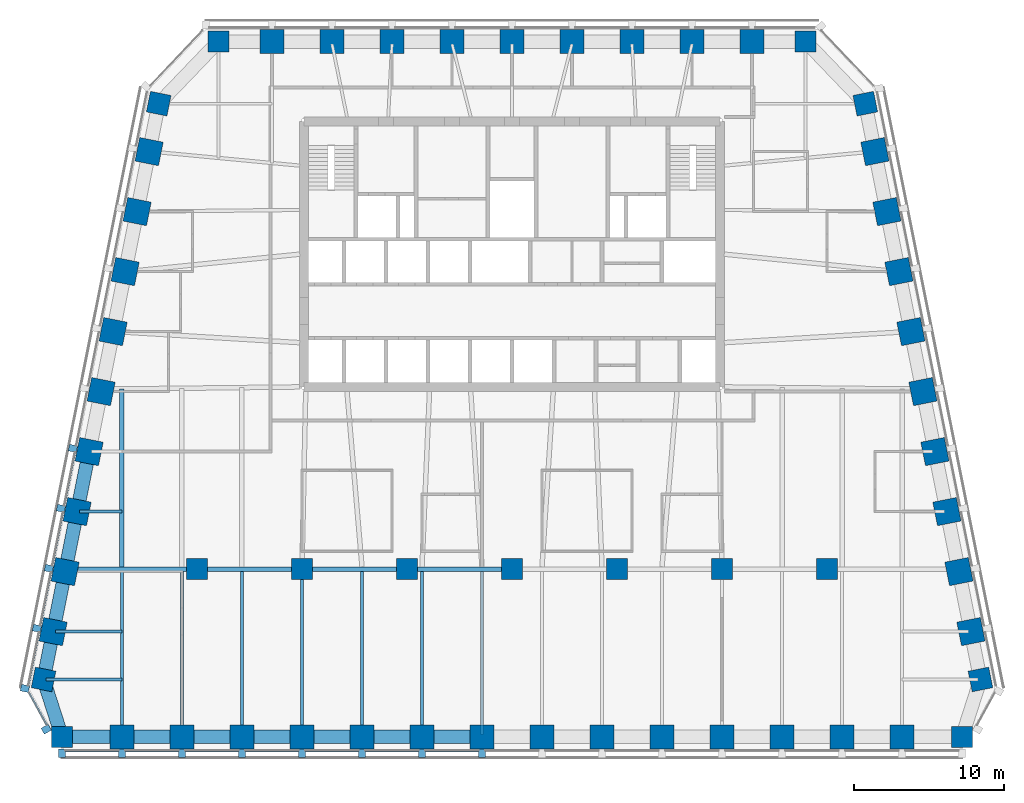
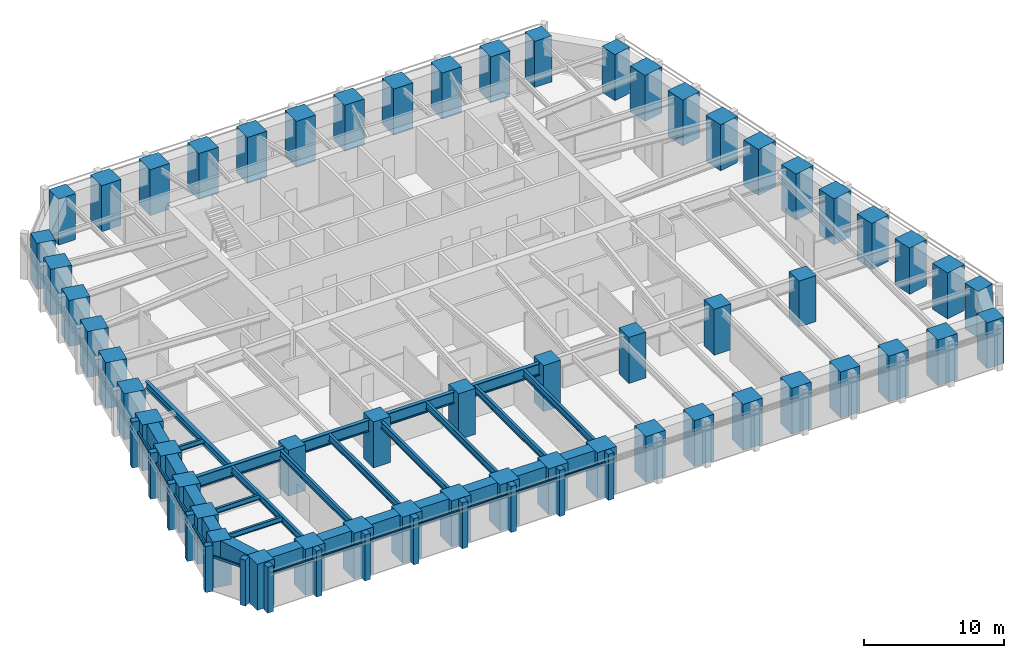
# One storey, part 1 of 10: 56 columns, 27 beams, 26 members, 3 elements without a shape of their own.
"""IFC4 building model written with IfcOpenShell, lengths in metres."""

from ifc_helpers import new_model, si_unit, direction, frame, origin, origin_2d, place, context, subcontext, project, spatial, rectangle, i_section, extrude, material, material_profile, profile_set, type_object, element, aggregate, save


model = new_model("IFC4")

# Units and contexts
model_context = context("Model", 3, precision=1e-05, world=origin(), true_north=direction((0.0, 1.0)))
body_context = subcontext(model_context, "Body", "Model", "MODEL_VIEW")
ifc_project = project(units=[si_unit("LENGTHUNIT", "METRE"), si_unit("AREAUNIT", "SQUARE_METRE"), si_unit("VOLUMEUNIT", "CUBIC_METRE"), si_unit("PLANEANGLEUNIT", "RADIAN"), si_unit("MASSUNIT", "GRAM", prefix="KILO")], contexts=[model_context])

# Site, building, storey
site_placement = place(None, origin())
site = spatial("IfcSite", under=ifc_project, at=site_placement, CompositionType="ELEMENT")
building_placement = place(site_placement, origin())
building = spatial("IfcBuilding", under=site, at=building_placement, Name="Isbrekke Arena Tower", CompositionType="ELEMENT")
storey_placement = place(building_placement, frame((0.0, 0.0, 230.0)))
storey = spatial("IfcBuildingStorey", under=building, at=storey_placement, Name="L53", CompositionType="ELEMENT", Elevation=230.0)

# Columns
ifc_material_1 = material(Name="Concrete B65 (C65/80)", Category="concrete")
ifc_material_profile_1 = material_profile(ifc_material_1, rectangle(XDim=1.39990234375, YDim=1.39990234375, at=origin_2d()), Name="RC 1400x1400")
ifc_profile_set_1 = profile_set([ifc_material_profile_1], Name="Concrete B65 (C65/80)")
column_type_1 = type_object("IfcColumnType", Name="C13 RC 1400 x 1400", PredefinedType="COLUMN", material=ifc_profile_set_1)
for number, where, z_axis, x_axis, name in (
    (1, (-21.0, -6.0, 0.0), (0.0, 0.0, 1.0), (1.0, 0.0, 0.0), "C13 I01"),
    (2, (-14.0, -6.0, 0.0), (0.0, 0.0, 1.0), (1.0, 0.0, 0.0), "C13 I02"),
    (3, (-7.0, -6.0, 0.0), (0.0, 0.0, 1.0), (1.0, 0.0, 0.0), "C13 I03"),
    (4, (0.0, -6.0, 0.0), (0.0, 0.0, 1.0), (1.0, 0.0, 0.0), "C13 I04"),
    (5, (7.0, -6.0, 0.0), (0.0, 0.0, 1.0), (1.0, 0.0, 0.0), "C13 I05"),
    (6, (14.0, -6.0, 0.0), (0.0, 0.0, 1.0), (1.0, 0.0, 0.0), "C13 I06"),
    (7, (21.0, -6.0, 0.0), (0.0, 0.0, 1.0), (1.0, 0.0, 0.0), "C13 I07"),
):
    element("IfcColumn", number, at=place(storey_placement, frame(where, z_axis=z_axis, x_axis=x_axis)), inside=storey, type_object=column_type_1, Name=name, PredefinedType="COLUMN", context=body_context, shape_type="SweptSolid", body=[
        extrude(rectangle(XDim=1.39990234375, YDim=1.39990234375, at=origin_2d()), origin(), (0.0, 0.0, 1.0), 4.0),
    ])
ifc_material_2 = material(Name="Concrete B65 (C65/80)", Category="concrete")
ifc_material_profile_2 = material_profile(ifc_material_2, rectangle(XDim=1.60009765625, YDim=1.60009765625, at=origin_2d()), Name="RC 1600x1600")
ifc_profile_set_2 = profile_set([ifc_material_profile_2], Name="Concrete B65 (C65/80)")
column_type_2 = type_object("IfcColumnType", Name="C4 RC 1600 x 1600", PredefinedType="COLUMN", material=ifc_profile_set_2)
for number, where, z_axis, x_axis, name in (
    (8, (-26.0, -17.175048828125, 0.0), (0.0, 0.0, 1.0), (1.0, 0.0, 0.0), "C4 S02"),
    (9, (-22.0, -17.175048828125, 0.0), (0.0, 0.0, 1.0), (1.0, 0.0, 0.0), "C4 S03"),
    (10, (-18.0, -17.175048828125, 0.0), (0.0, 0.0, 1.0), (1.0, 0.0, 0.0), "C4 S04"),
    (11, (-14.0, -17.175048828125, 0.0), (0.0, 0.0, 1.0), (1.0, 0.0, 0.0), "C4 S05"),
    (12, (-10.0, -17.175048828125, 0.0), (0.0, 0.0, 1.0), (1.0, 0.0, 0.0), "C4 S06"),
    (13, (-6.0, -17.175048828125, 0.0), (0.0, 0.0, 1.0), (1.0, 0.0, 0.0), "C4 S07"),
    (14, (-2.0, -17.175048828125, 0.0), (0.0, 0.0, 1.0), (1.0, 0.0, 0.0), "C4 S08"),
    (15, (2.0, -17.175048828125, 0.0), (0.0, 0.0, 1.0), (1.0, 0.0, 0.0), "C4 S09"),
    (16, (6.0, -17.175048828125, 0.0), (0.0, 0.0, 1.0), (1.0, 0.0, 0.0), "C4 S10"),
    (17, (10.0, -17.175048828125, 0.0), (0.0, 0.0, 1.0), (1.0, 0.0, 0.0), "C4 S11"),
    (18, (14.0, -17.175048828125, 0.0), (0.0, 0.0, 1.0), (1.0, 0.0, 0.0), "C4 S12"),
    (19, (18.0, -17.175048828125, 0.0), (0.0, 0.0, 1.0), (1.0, 0.0, 0.0), "C4 S13"),
    (20, (22.0, -17.175048828125, 0.0), (0.0, 0.0, 1.0), (1.0, 0.0, 0.0), "C4 S14"),
    (21, (26.0, -17.175048828125, 0.0), (0.0, 0.0, 1.0), (1.0, 0.0, 0.0), "C4 S15"),
    (22, (30.591064453125, -10.161865234375, 0.0), (0.0, 0.0, 1.0), (-0.196116135138, 0.980580675691, 0.0), "C4 E02"),
    (23, (29.791015625, -6.161865234375, 0.0), (0.0, 0.0, 1.0), (-0.196116135138, 0.980580675691, 0.0), "C4 E03"),
    (24, (28.990966796875, -2.161865234375, 0.0), (0.0, 0.0, 1.0), (-0.196116135138, 0.980580675691, 0.0), "C4 E04"),
    (25, (28.19091796875, 1.838134765625, 0.0), (0.0, 0.0, 1.0), (-0.196116135138, 0.980580675691, 0.0), "C4 E05"),
    (26, (27.39111328125, 5.838134765625, 0.0), (0.0, 0.0, 1.0), (-0.196116135138, 0.980580675691, 0.0), "C4 E06"),
    (27, (26.591064453125, 9.838134765625, 0.0), (0.0, 0.0, 1.0), (-0.196116135138, 0.980580675691, 0.0), "C4 E07"),
    (28, (25.791015625, 13.838134765625, 0.0), (0.0, 0.0, 1.0), (-0.196116135138, 0.980580675691, 0.0), "C4 E08"),
    (29, (24.990966796875, 17.838134765625, 0.0), (0.0, 0.0, 1.0), (-0.196116135138, 0.980580675691, 0.0), "C4 E09"),
    (30, (24.19091796875, 21.838134765625, 0.0), (0.0, 0.0, 1.0), (-0.196116135138, 0.980580675691, 0.0), "C4 E10"),
    (31, (16.0, 29.175048828125, 0.0), (0.0, 0.0, 1.0), (-1.0, 0.0, 0.0), "C4 N02"),
    (32, (12.0, 29.175048828125, 0.0), (0.0, 0.0, 1.0), (-1.0, 0.0, 0.0), "C4 N03"),
    (33, (8.0, 29.175048828125, 0.0), (0.0, 0.0, 1.0), (-1.0, 0.0, 0.0), "C4 N04"),
    (34, (4.0, 29.175048828125, 0.0), (0.0, 0.0, 1.0), (-1.0, 0.0, 0.0), "C4 N05"),
    (35, (0.0, 29.175048828125, 0.0), (0.0, 0.0, 1.0), (-1.0, 0.0, 0.0), "C4 N06"),
    (36, (-4.0, 29.175048828125, 0.0), (0.0, 0.0, 1.0), (-1.0, 0.0, 0.0), "C4 N07"),
    (37, (-8.0, 29.175048828125, 0.0), (0.0, 0.0, 1.0), (-1.0, 0.0, 0.0), "C4 N08"),
    (38, (-12.0, 29.175048828125, 0.0), (0.0, 0.0, 1.0), (-1.0, 0.0, 0.0), "C4 N09"),
    (39, (-16.0, 29.175048828125, 0.0), (0.0, 0.0, 1.0), (-1.0, 0.0, 0.0), "C4 N10"),
    (40, (-24.19091796875, 21.838134765625, 0.0), (0.0, 0.0, 1.0), (-0.196116135138, -0.980580675691, 0.0), "C4 W02"),
    (41, (-24.990966796875, 17.838134765625, 0.0), (0.0, 0.0, 1.0), (-0.196116135138, -0.980580675691, 0.0), "C4 W03"),
    (42, (-25.791015625, 13.838134765625, 0.0), (0.0, 0.0, 1.0), (-0.196116135138, -0.980580675691, 0.0), "C4 W04"),
    (43, (-26.591064453125, 9.838134765625, 0.0), (0.0, 0.0, 1.0), (-0.196116135138, -0.980580675691, 0.0), "C4 W05"),
    (44, (-27.39111328125, 5.838134765625, 0.0), (0.0, 0.0, 1.0), (-0.196116135138, -0.980580675691, 0.0), "C4 W06"),
    (45, (-28.19091796875, 1.838134765625, 0.0), (0.0, 0.0, 1.0), (-0.196116135138, -0.980580675691, 0.0), "C4 W07"),
    (46, (-28.990966796875, -2.161865234375, 0.0), (0.0, 0.0, 1.0), (-0.196116135138, -0.980580675691, 0.0), "C4 W08"),
    (47, (-29.791015625, -6.161865234375, 0.0), (0.0, 0.0, 1.0), (-0.196116135138, -0.980580675691, 0.0), "C4 W09"),
    (48, (-30.591064453125, -10.161865234375, 0.0), (0.0, 0.0, 1.0), (-0.196116135138, -0.980580675691, 0.0), "C4 W10"),
):
    element("IfcColumn", number, at=place(storey_placement, frame(where, z_axis=z_axis, x_axis=x_axis)), inside=storey, type_object=column_type_2, Name=name, PredefinedType="COLUMN", context=body_context, shape_type="SweptSolid", body=[
        extrude(rectangle(XDim=1.60009765625, YDim=1.60009765625, at=origin_2d()), origin(), (0.0, 0.0, 1.0), 4.0),
    ])
ifc_material_3 = material(Name="Concrete B65 (C65/80)", Category="concrete")
ifc_material_profile_3 = material_profile(ifc_material_3, rectangle(XDim=1.39990234375, YDim=1.39990234375, at=origin_2d()), Name="RC 1400x1400")
ifc_profile_set_3 = profile_set([ifc_material_profile_3], Name="Concrete B65 (C65/80)")
column_type_3 = type_object("IfcColumnType", Name="C8 RC 1400 x 1400", PredefinedType="COLUMN", material=ifc_profile_set_3)
for number, where, z_axis, x_axis, name in (
    (49, (-30.0, -17.175048828125, 0.0), (0.0, 0.0, 1.0), (1.0, 0.0, 0.0), "C8 S01"),
    (50, (30.0, -17.175048828125, 0.0), (0.0, 0.0, 1.0), (1.0, 0.0, 0.0), "C8 S16"),
    (51, (31.229248046875, -13.352783203125, 0.0), (0.0, 0.0, 1.0), (-0.196116135138, 0.980580675691, 0.0), "C8 E01"),
    (52, (23.552734375, 25.029296875, 0.0), (0.0, 0.0, 1.0), (-0.196116135138, 0.980580675691, 0.0), "C8 E11"),
    (53, (19.574951171875, 29.175048828125, 0.0), (0.0, 0.0, 1.0), (-1.0, 0.0, 0.0), "C8 N01"),
    (54, (-19.574951171875, 29.175048828125, 0.0), (0.0, 0.0, 1.0), (-1.0, 0.0, 0.0), "C8 N11"),
    (55, (-23.552734375, 25.029296875, 0.0), (0.0, 0.0, 1.0), (-0.196116135138, -0.980580675691, 0.0), "C8 W01"),
    (56, (-31.229248046875, -13.352783203125, 0.0), (0.0, 0.0, 1.0), (-0.196116135138, -0.980580675691, 0.0), "C8 W11"),
):
    element("IfcColumn", number, at=place(storey_placement, frame(where, z_axis=z_axis, x_axis=x_axis)), inside=storey, type_object=column_type_3, Name=name, PredefinedType="COLUMN", context=body_context, shape_type="SweptSolid", body=[
        extrude(rectangle(XDim=1.39990234375, YDim=1.39990234375, at=origin_2d()), origin(), (0.0, 0.0, 1.0), 4.0),
    ])

# Beams
ifc_material_4 = material(Name="Steel S355", Category="steel")
ifc_material_profile_4 = material_profile(ifc_material_4, i_section(OverallWidth=0.219970703125, OverallDepth=0.60009765625, WebThickness=0.011962890625, FlangeThickness=0.01904296875, FilletRadius=0.02392578125, at=origin_2d()), Name="IPE 600")
ifc_profile_set_4 = profile_set([ifc_material_profile_4], Name="Steel S355")
beam_type_1 = type_object("IfcBeamType", Name="B1 IPE 600", PredefinedType="BEAM", material=ifc_profile_set_4)
for number, where, z_axis, x_axis, name in (
    (57, (-26.0, -17.02490234375, 3.550048828125), (0.0, 1.0, 0.0), (-1.0, 0.0, 0.0), "B1 beam S-S02 L53"),
    (58, (-22.0, -17.02490234375, 3.550048828125), (0.0, 1.0, 0.0), (-1.0, 0.0, 0.0), "B1 beam S-S03 L53"),
    (59, (-18.0, -17.02490234375, 3.550048828125), (0.0, 1.0, 0.0), (-1.0, 0.0, 0.0), "B1 beam S-S04 L53"),
):
    element("IfcBeam", number, at=place(storey_placement, frame(where, z_axis=z_axis, x_axis=x_axis)), inside=storey, type_object=beam_type_1, Name=name, PredefinedType="BEAM", context=body_context, shape_type="SweptSolid", body=[
        extrude(i_section(OverallWidth=0.219970703125, OverallDepth=0.60009765625, WebThickness=0.011962890625, FlangeThickness=0.01904296875, FilletRadius=0.02392578125, at=origin_2d()), origin(), (0.0, 0.0, 1.0), 10.8740234375),
    ])
beam_1_placement = place(storey_placement, frame((-14.0, -17.02490234375, 3.550048828125), z_axis=(0.0, 1.0, 0.0), x_axis=(-1.0, 0.0, 0.0)))
element("IfcBeam", 60, at=beam_1_placement, inside=storey, type_object=beam_type_1, Name="B1 beam S-S05 L53", PredefinedType="BEAM", context=body_context, shape_type="SweptSolid", body=[
    extrude(i_section(OverallWidth=0.219970703125, OverallDepth=0.60009765625, WebThickness=0.011962890625, FlangeThickness=0.01904296875, FilletRadius=0.02392578125, at=origin_2d()), origin(), (0.0, 0.0, 1.0), 10.875),
])
for number, where, z_axis, x_axis, name in (
    (61, (-10.0, -17.02490234375, 3.550048828125), (0.0, 1.0, 0.0), (-1.0, 0.0, 0.0), "B1 beam S-S06 L53"),
    (62, (-6.0, -17.02490234375, 3.550048828125), (0.0, 1.0, 0.0), (-1.0, 0.0, 0.0), "B1 beam S-S07 L53"),
    (63, (-2.0, -17.02490234375, 3.550048828125), (0.0, 1.0, 0.0), (-1.0, 0.0, 0.0), "B1 beam S-S08 L53"),
):
    element("IfcBeam", number, at=place(storey_placement, frame(where, z_axis=z_axis, x_axis=x_axis)), inside=storey, type_object=beam_type_1, Name=name, PredefinedType="BEAM", context=body_context, shape_type="SweptSolid", body=[
        extrude(i_section(OverallWidth=0.219970703125, OverallDepth=0.60009765625, WebThickness=0.011962890625, FlangeThickness=0.01904296875, FilletRadius=0.02392578125, at=origin_2d()), origin(), (0.0, 0.0, 1.0), 10.8740234375),
    ])
ifc_material_5 = material(Name="Steel S355", Category="steel")
ifc_material_profile_5 = material_profile(ifc_material_5, i_section(OverallWidth=0.18994140625, OverallDepth=0.449951171875, WebThickness=0.009521484375, FlangeThickness=0.0146484375, FilletRadius=0.02099609375, at=origin_2d()), Name="IPE 450")
ifc_profile_set_5 = profile_set([ifc_material_profile_5], Name="Steel S355")
beam_type_2 = type_object("IfcBeamType", Name="B2 IPE 450", PredefinedType="BEAM", material=ifc_profile_set_5)
beam_2_placement = place(storey_placement, frame((-28.841064453125, -2.161865234375, 3.625), z_axis=(1.0, 0.0, 0.0), x_axis=(0.0, 1.0, 0.0)))
element("IfcBeam", 64, at=beam_2_placement, inside=storey, type_object=beam_type_2, Name="B2 beam E-W08 L53", PredefinedType="BEAM", context=body_context, shape_type="SweptSolid", body=[
    extrude(i_section(OverallWidth=0.18994140625, OverallDepth=0.449951171875, WebThickness=0.009521484375, FlangeThickness=0.0146484375, FilletRadius=0.02099609375, at=origin_2d()), origin(), (0.0, 0.0, 1.0), 2.841064453125),
])
beam_3_placement = place(storey_placement, frame((-30.44091796875, -10.161865234375, 3.625), z_axis=(1.0, 0.0, 0.0), x_axis=(0.0, 1.0, 0.0)))
element("IfcBeam", 65, at=beam_3_placement, inside=storey, type_object=beam_type_2, Name="B2 beam E-W10 L53", PredefinedType="BEAM", context=body_context, shape_type="SweptSolid", body=[
    extrude(i_section(OverallWidth=0.18994140625, OverallDepth=0.449951171875, WebThickness=0.009521484375, FlangeThickness=0.0146484375, FilletRadius=0.02099609375, at=origin_2d()), origin(), (0.0, 0.0, 1.0), 4.44091796875),
])
beam_4_placement = place(storey_placement, frame((-31.079345703125, -13.352783203125, 3.625), z_axis=(1.0, 0.0, 0.0), x_axis=(0.0, 1.0, 0.0)))
element("IfcBeam", 66, at=beam_4_placement, inside=storey, type_object=beam_type_2, Name="B2 beam E-W11 L53", PredefinedType="BEAM", context=body_context, shape_type="SweptSolid", body=[
    extrude(i_section(OverallWidth=0.18994140625, OverallDepth=0.449951171875, WebThickness=0.009521484375, FlangeThickness=0.0146484375, FilletRadius=0.02099609375, at=origin_2d()), origin(), (0.0, 0.0, 1.0), 5.079345703125),
])
ifc_material_6 = material(Name="Steel S355", Category="steel")
ifc_material_profile_6 = material_profile(ifc_material_6, i_section(OverallWidth=0.300048828125, OverallDepth=0.60009765625, WebThickness=0.015380859375, FlangeThickness=0.030029296875, FilletRadius=0.027099609375, at=origin_2d()), Name="HEB 600")
ifc_profile_set_6 = profile_set([ifc_material_profile_6], Name="Steel S355")
beam_type_3 = type_object("IfcBeamType", Name="B7 HEB 600", PredefinedType="BEAM", material=ifc_profile_set_6)
beam_5_placement = place(storey_placement, frame((-26.0, -5.84912109375, 3.550048828125), z_axis=(0.0, 1.0, 0.0), x_axis=(-1.0, 0.0, 0.0)))
element("IfcBeam", 67, at=beam_5_placement, inside=storey, type_object=beam_type_3, Name="B7 beam C-M01 L53", PredefinedType="BEAM", context=body_context, shape_type="SweptSolid", body=[
    extrude(i_section(OverallWidth=0.300048828125, OverallDepth=0.60009765625, WebThickness=0.015380859375, FlangeThickness=0.030029296875, FilletRadius=0.027099609375, at=origin_2d()), origin(), (0.0, 0.0, 1.0), 11.864990234375),
])

# Curtain wall, members
ifc_material_7 = material(Name="Glazed aluminium curtain wall", Category="aluminium")
curtain_wall_type = type_object("IfcCurtainWallType", Name="CWH TOWER CURTAIN WALL HIGH ZONE", PredefinedType="USERDEFINED", material=ifc_material_7)
curtain_wall_1_placement = place(storey_placement, origin())
curtain_wall_1 = element("IfcCurtainWall", 68, at=curtain_wall_1_placement, inside=storey, type_object=curtain_wall_type, Name="CWH curtain wall L53-S", ObjectType="TOWER CURTAIN WALL HIGH ZONE", PredefinedType="USERDEFINED")
ifc_material_8 = material(Name="Aluminium mullion, pale brick slip cladding", Category="masonry")
ifc_material_profile_7 = material_profile(ifc_material_8, rectangle(XDim=0.449951171875, YDim=0.550048828125, at=origin_2d()), Name="PIER 450X550")
ifc_profile_set_7 = profile_set([ifc_material_profile_7], Name="Aluminium mullion, pale brick slip cladding")
member_type_1 = type_object("IfcMemberType", Name="CWH-M PIER MULLION 450 x 550", PredefinedType="MULLION", material=ifc_profile_set_7)
member_1_placement = place(storey_placement, frame((-30.0, -18.27490234375, 0.0), z_axis=(0.0, 0.0, 1.0), x_axis=(1.0, 0.0, 0.0)))
member_1 = element("IfcMember", 69, at=member_1_placement, type_object=member_type_1, Name="CWH-M mullion 1", PredefinedType="MULLION", context=body_context, shape_type="SweptSolid", body=[
    extrude(rectangle(XDim=0.449951171875, YDim=0.550048828125, at=origin_2d()), origin(), (0.0, 0.0, 1.0), 4.0),
])
member_2_placement = place(storey_placement, frame((-26.0, -18.27490234375, 0.0), z_axis=(0.0, 0.0, 1.0), x_axis=(1.0, 0.0, 0.0)))
member_2 = element("IfcMember", 70, at=member_2_placement, type_object=member_type_1, Name="CWH-M mullion 2", PredefinedType="MULLION", context=body_context, shape_type="SweptSolid", body=[
    extrude(rectangle(XDim=0.449951171875, YDim=0.550048828125, at=origin_2d()), origin(), (0.0, 0.0, 1.0), 4.0),
])
member_3_placement = place(storey_placement, frame((-22.0, -18.27490234375, 0.0), z_axis=(0.0, 0.0, 1.0), x_axis=(1.0, 0.0, 0.0)))
member_3 = element("IfcMember", 71, at=member_3_placement, type_object=member_type_1, Name="CWH-M mullion 3", PredefinedType="MULLION", context=body_context, shape_type="SweptSolid", body=[
    extrude(rectangle(XDim=0.449951171875, YDim=0.550048828125, at=origin_2d()), origin(), (0.0, 0.0, 1.0), 4.0),
])
member_4_placement = place(storey_placement, frame((-18.0, -18.27490234375, 0.0), z_axis=(0.0, 0.0, 1.0), x_axis=(1.0, 0.0, 0.0)))
member_4 = element("IfcMember", 72, at=member_4_placement, type_object=member_type_1, Name="CWH-M mullion 4", PredefinedType="MULLION", context=body_context, shape_type="SweptSolid", body=[
    extrude(rectangle(XDim=0.449951171875, YDim=0.550048828125, at=origin_2d()), origin(), (0.0, 0.0, 1.0), 4.0),
])
member_5_placement = place(storey_placement, frame((-14.0, -18.27490234375, 0.0), z_axis=(0.0, 0.0, 1.0), x_axis=(1.0, 0.0, 0.0)))
member_5 = element("IfcMember", 73, at=member_5_placement, type_object=member_type_1, Name="CWH-M mullion 5", PredefinedType="MULLION", context=body_context, shape_type="SweptSolid", body=[
    extrude(rectangle(XDim=0.449951171875, YDim=0.550048828125, at=origin_2d()), origin(), (0.0, 0.0, 1.0), 4.0),
])
member_6_placement = place(storey_placement, frame((-10.0, -18.27490234375, 0.0), z_axis=(0.0, 0.0, 1.0), x_axis=(1.0, 0.0, 0.0)))
member_6 = element("IfcMember", 74, at=member_6_placement, type_object=member_type_1, Name="CWH-M mullion 6", PredefinedType="MULLION", context=body_context, shape_type="SweptSolid", body=[
    extrude(rectangle(XDim=0.449951171875, YDim=0.550048828125, at=origin_2d()), origin(), (0.0, 0.0, 1.0), 4.0),
])
member_7_placement = place(storey_placement, frame((-6.0, -18.27490234375, 0.0), z_axis=(0.0, 0.0, 1.0), x_axis=(1.0, 0.0, 0.0)))
member_7 = element("IfcMember", 75, at=member_7_placement, type_object=member_type_1, Name="CWH-M mullion 7", PredefinedType="MULLION", context=body_context, shape_type="SweptSolid", body=[
    extrude(rectangle(XDim=0.449951171875, YDim=0.550048828125, at=origin_2d()), origin(), (0.0, 0.0, 1.0), 4.0),
])
member_8_placement = place(storey_placement, frame((-2.0, -18.27490234375, 0.0), z_axis=(0.0, 0.0, 1.0), x_axis=(1.0, 0.0, 0.0)))
member_8 = element("IfcMember", 76, at=member_8_placement, type_object=member_type_1, Name="CWH-M mullion 8", PredefinedType="MULLION", context=body_context, shape_type="SweptSolid", body=[
    extrude(rectangle(XDim=0.449951171875, YDim=0.550048828125, at=origin_2d()), origin(), (0.0, 0.0, 1.0), 4.0),
])

curtain_wall_2_placement = place(storey_placement, origin())
curtain_wall_2 = element("IfcCurtainWall", 77, at=curtain_wall_2_placement, inside=storey, type_object=curtain_wall_type, Name="CWH curtain wall L53-W", ObjectType="TOWER CURTAIN WALL HIGH ZONE", PredefinedType="USERDEFINED")
member_9_placement = place(storey_placement, frame((-29.269775390625, 2.053955078125, 0.0), z_axis=(0.0, 0.0, 1.0), x_axis=(-0.196116135138, -0.980580675691, 0.0)))
member_9 = element("IfcMember", 78, at=member_9_placement, type_object=member_type_1, Name="CWH-M mullion 6", PredefinedType="MULLION", context=body_context, shape_type="SweptSolid", body=[
    extrude(rectangle(XDim=0.449951171875, YDim=0.550048828125, at=origin_2d()), origin(), (0.0, 0.0, 1.0), 4.0),
])
member_10_placement = place(storey_placement, frame((-30.069580078125, -1.946044921875, 0.0), z_axis=(0.0, 0.0, 1.0), x_axis=(-0.196116135138, -0.980580675691, 0.0)))
member_10 = element("IfcMember", 79, at=member_10_placement, type_object=member_type_1, Name="CWH-M mullion 7", PredefinedType="MULLION", context=body_context, shape_type="SweptSolid", body=[
    extrude(rectangle(XDim=0.449951171875, YDim=0.550048828125, at=origin_2d()), origin(), (0.0, 0.0, 1.0), 4.0),
])
member_11_placement = place(storey_placement, frame((-30.86962890625, -5.946044921875, 0.0), z_axis=(0.0, 0.0, 1.0), x_axis=(-0.196116135138, -0.980580675691, 0.0)))
member_11 = element("IfcMember", 80, at=member_11_placement, type_object=member_type_1, Name="CWH-M mullion 8", PredefinedType="MULLION", context=body_context, shape_type="SweptSolid", body=[
    extrude(rectangle(XDim=0.449951171875, YDim=0.550048828125, at=origin_2d()), origin(), (0.0, 0.0, 1.0), 4.0),
])
member_12_placement = place(storey_placement, frame((-31.669677734375, -9.946044921875, 0.0), z_axis=(0.0, 0.0, 1.0), x_axis=(-0.196116135138, -0.980580675691, 0.0)))
member_12 = element("IfcMember", 81, at=member_12_placement, type_object=member_type_1, Name="CWH-M mullion 9", PredefinedType="MULLION", context=body_context, shape_type="SweptSolid", body=[
    extrude(rectangle(XDim=0.449951171875, YDim=0.550048828125, at=origin_2d()), origin(), (0.0, 0.0, 1.0), 4.0),
])
member_13_placement = place(storey_placement, frame((-32.4697265625, -13.946044921875, 0.0), z_axis=(0.0, 0.0, 1.0), x_axis=(-0.196116135138, -0.980580675691, 0.0)))
member_13 = element("IfcMember", 82, at=member_13_placement, type_object=member_type_1, Name="CWH-M mullion 10", PredefinedType="MULLION", context=body_context, shape_type="SweptSolid", body=[
    extrude(rectangle(XDim=0.449951171875, YDim=0.550048828125, at=origin_2d()), origin(), (0.0, 0.0, 1.0), 4.0),
])

# Curtain wall, member
curtain_wall_3_placement = place(storey_placement, origin())
curtain_wall_3 = element("IfcCurtainWall", 83, at=curtain_wall_3_placement, inside=storey, type_object=curtain_wall_type, Name="CWH curtain wall L53-WS", ObjectType="TOWER CURTAIN WALL HIGH ZONE", PredefinedType="USERDEFINED")
member_14_placement = place(storey_placement, frame((-31.04638671875, -16.66796875, 0.0), z_axis=(0.0, 0.0, 1.0), x_axis=(0.481918749773, -0.876215908676, 0.0)))
member_14 = element("IfcMember", 84, at=member_14_placement, type_object=member_type_1, Name="CWH-M mullion 1", PredefinedType="MULLION", context=body_context, shape_type="SweptSolid", body=[
    extrude(rectangle(XDim=0.449951171875, YDim=0.550048828125, at=origin_2d()), origin(), (0.0, 0.0, 1.0), 4.0),
])

# Member
ifc_material_9 = material(Name="Aluminium transom", Category="aluminium")
ifc_material_profile_8 = material_profile(ifc_material_9, rectangle(XDim=0.1201171875, YDim=0.199951171875, at=origin_2d()), Name="TRANSOM 120X200")
ifc_profile_set_8 = profile_set([ifc_material_profile_8], Name="Aluminium transom")
member_type_2 = type_object("IfcMemberType", Name="CWH-T TRANSOM 120 x 200", PredefinedType="USERDEFINED", material=ifc_profile_set_8)
member_15_placement = place(storey_placement, frame((-29.77490234375, -18.10009765625, 3.0), z_axis=(1.0, 0.0, 0.0), x_axis=(0.0, 1.0, 0.0)))
member_15 = element("IfcMember", 85, at=member_15_placement, type_object=member_type_2, Name="CWH-T transom 1", ObjectType="TRANSOM", PredefinedType="USERDEFINED", context=body_context, shape_type="SweptSolid", body=[
    extrude(rectangle(XDim=0.1201171875, YDim=0.199951171875, at=origin_2d()), origin(), (0.0, 0.0, 1.0), 3.5498046875),
])

member_16_placement = place(storey_placement, frame((-25.77490234375, -18.10009765625, 3.0), z_axis=(1.0, 0.0, 0.0), x_axis=(0.0, 1.0, 0.0)))
member_16 = element("IfcMember", 86, at=member_16_placement, type_object=member_type_2, Name="CWH-T transom 2", ObjectType="TRANSOM", PredefinedType="USERDEFINED", context=body_context, shape_type="SweptSolid", body=[
    extrude(rectangle(XDim=0.1201171875, YDim=0.199951171875, at=origin_2d()), origin(), (0.0, 0.0, 1.0), 3.5498046875),
])

member_17_placement = place(storey_placement, frame((-21.77490234375, -18.10009765625, 3.0), z_axis=(1.0, 0.0, 0.0), x_axis=(0.0, 1.0, 0.0)))
member_17 = element("IfcMember", 87, at=member_17_placement, type_object=member_type_2, Name="CWH-T transom 3", ObjectType="TRANSOM", PredefinedType="USERDEFINED", context=body_context, shape_type="SweptSolid", body=[
    extrude(rectangle(XDim=0.1201171875, YDim=0.199951171875, at=origin_2d()), origin(), (0.0, 0.0, 1.0), 3.5498046875),
])

member_18_placement = place(storey_placement, frame((-17.77490234375, -18.10009765625, 3.0), z_axis=(1.0, 0.0, 0.0), x_axis=(0.0, 1.0, 0.0)))
member_18 = element("IfcMember", 88, at=member_18_placement, type_object=member_type_2, Name="CWH-T transom 4", ObjectType="TRANSOM", PredefinedType="USERDEFINED", context=body_context, shape_type="SweptSolid", body=[
    extrude(rectangle(XDim=0.1201171875, YDim=0.199951171875, at=origin_2d()), origin(), (0.0, 0.0, 1.0), 3.5498046875),
])

member_19_placement = place(storey_placement, frame((-13.77490234375, -18.10009765625, 3.0), z_axis=(1.0, 0.0, 0.0), x_axis=(0.0, 1.0, 0.0)))
member_19 = element("IfcMember", 89, at=member_19_placement, type_object=member_type_2, Name="CWH-T transom 5", ObjectType="TRANSOM", PredefinedType="USERDEFINED", context=body_context, shape_type="SweptSolid", body=[
    extrude(rectangle(XDim=0.1201171875, YDim=0.199951171875, at=origin_2d()), origin(), (0.0, 0.0, 1.0), 3.5498046875),
])

member_20_placement = place(storey_placement, frame((-9.77490234375, -18.10009765625, 3.0), z_axis=(1.0, 0.0, 0.0), x_axis=(0.0, 1.0, 0.0)))
member_20 = element("IfcMember", 90, at=member_20_placement, type_object=member_type_2, Name="CWH-T transom 6", ObjectType="TRANSOM", PredefinedType="USERDEFINED", context=body_context, shape_type="SweptSolid", body=[
    extrude(rectangle(XDim=0.1201171875, YDim=0.199951171875, at=origin_2d()), origin(), (0.0, 0.0, 1.0), 3.5498046875),
])

member_21_placement = place(storey_placement, frame((-5.77490234375, -18.10009765625, 3.0), z_axis=(1.0, 0.0, 0.0), x_axis=(0.0, 1.0, 0.0)))
member_21 = element("IfcMember", 91, at=member_21_placement, type_object=member_type_2, Name="CWH-T transom 7", ObjectType="TRANSOM", PredefinedType="USERDEFINED", context=body_context, shape_type="SweptSolid", body=[
    extrude(rectangle(XDim=0.1201171875, YDim=0.199951171875, at=origin_2d()), origin(), (0.0, 0.0, 1.0), 3.5498046875),
])

aggregate(curtain_wall_1, [member_1, member_2, member_3, member_4, member_5, member_6, member_7, member_8, member_15, member_16, member_17, member_18, member_19, member_20, member_21])

member_22_placement = place(storey_placement, frame((-29.14208984375, 1.799072265625, 3.0), z_axis=(-0.196154943734, -0.980572913173, 0.0), x_axis=(0.980572913173, -0.196154943734, 0.0)))
member_22 = element("IfcMember", 92, at=member_22_placement, type_object=member_type_2, Name="CWH-T transom 7", ObjectType="TRANSOM", PredefinedType="USERDEFINED", context=body_context, shape_type="SweptSolid", body=[
    extrude(rectangle(XDim=0.1201171875, YDim=0.199951171875, at=origin_2d()), origin(), (0.0, 0.0, 1.0), 3.62939453125),
])

member_23_placement = place(storey_placement, frame((-29.942138671875, -2.200927734375, 3.0), z_axis=(-0.196154943734, -0.980572913173, 0.0), x_axis=(0.980572913173, -0.196154943734, 0.0)))
member_23 = element("IfcMember", 93, at=member_23_placement, type_object=member_type_2, Name="CWH-T transom 8", ObjectType="TRANSOM", PredefinedType="USERDEFINED", context=body_context, shape_type="SweptSolid", body=[
    extrude(rectangle(XDim=0.1201171875, YDim=0.199951171875, at=origin_2d()), origin(), (0.0, 0.0, 1.0), 3.62939453125),
])

member_24_placement = place(storey_placement, frame((-30.7421875, -6.200927734375, 3.0), z_axis=(-0.196090262229, -0.980585849918, 0.0), x_axis=(0.980585849918, -0.196090262229, 0.0)))
member_24 = element("IfcMember", 94, at=member_24_placement, type_object=member_type_2, Name="CWH-T transom 9", ObjectType="TRANSOM", PredefinedType="USERDEFINED", context=body_context, shape_type="SweptSolid", body=[
    extrude(rectangle(XDim=0.1201171875, YDim=0.199951171875, at=origin_2d()), origin(), (0.0, 0.0, 1.0), 3.62939453125),
])

member_25_placement = place(storey_placement, frame((-31.542236328125, -10.200927734375, 3.0), z_axis=(-0.196090262229, -0.980585849918, 0.0), x_axis=(0.980585849918, -0.196090262229, 0.0)))
member_25 = element("IfcMember", 95, at=member_25_placement, type_object=member_type_2, Name="CWH-T transom 10", ObjectType="TRANSOM", PredefinedType="USERDEFINED", context=body_context, shape_type="SweptSolid", body=[
    extrude(rectangle(XDim=0.1201171875, YDim=0.199951171875, at=origin_2d()), origin(), (0.0, 0.0, 1.0), 3.62939453125),
])

aggregate(curtain_wall_2, [member_9, member_10, member_11, member_12, member_13, member_22, member_23, member_24, member_25])

member_26_placement = place(storey_placement, frame((-32.17919921875, -14.245361328125, 3.0), z_axis=(0.481957101782, -0.876194813978, 0.0), x_axis=(0.876194813978, 0.481957101782, 0.0)))
member_26 = element("IfcMember", 96, at=member_26_placement, type_object=member_type_2, Name="CWH-T transom 1", ObjectType="TRANSOM", PredefinedType="USERDEFINED", context=body_context, shape_type="SweptSolid", body=[
    extrude(rectangle(XDim=0.1201171875, YDim=0.199951171875, at=origin_2d()), origin(), (0.0, 0.0, 1.0), 2.443603515625),
])

aggregate(curtain_wall_3, [member_14, member_26])

# Beams
ifc_material_10 = material(Name="Steel S355", Category="steel")
ifc_material_profile_9 = material_profile(ifc_material_10, i_section(OverallWidth=0.302001953125, OverallDepth=1.008056640625, WebThickness=0.02099609375, FlangeThickness=0.0400390625, FilletRadius=0.030029296875, at=origin_2d()), Name="HEM 1000")
ifc_profile_set_9 = profile_set([ifc_material_profile_9], Name="Steel S355")
beam_type_4 = type_object("IfcBeamType", Name="G1 HEM 1000", PredefinedType="BEAM", material=ifc_profile_set_9)
beam_6_placement = place(storey_placement, frame((-29.791015625, -6.0, 3.345947265625), z_axis=(1.0, 0.0, 0.0), x_axis=(0.0, 1.0, 0.0)))
element("IfcBeam", 97, at=beam_6_placement, inside=storey, type_object=beam_type_4, Name="G1 beam G1-01 L53", PredefinedType="BEAM", context=body_context, shape_type="SweptSolid", body=[
    extrude(i_section(OverallWidth=0.302001953125, OverallDepth=1.008056640625, WebThickness=0.02099609375, FlangeThickness=0.0400390625, FilletRadius=0.030029296875, at=origin_2d()), origin(), (0.0, 0.0, 1.0), 8.64111328125),
])
for number, where, z_axis, x_axis, name in (
    (98, (-20.85009765625, -6.0, 3.345947265625), (1.0, 0.0, 0.0), (0.0, 1.0, 0.0), "G1 beam G1-02 L53"),
    (99, (-13.85009765625, -6.0, 3.345947265625), (1.0, 0.0, 0.0), (0.0, 1.0, 0.0), "G1 beam G1-03 L53"),
    (100, (-6.85009765625, -6.0, 3.345947265625), (1.0, 0.0, 0.0), (0.0, 1.0, 0.0), "G1 beam G1-04 L53"),
):
    element("IfcBeam", number, at=place(storey_placement, frame(where, z_axis=z_axis, x_axis=x_axis)), inside=storey, type_object=beam_type_4, Name=name, PredefinedType="BEAM", context=body_context, shape_type="SweptSolid", body=[
        extrude(i_section(OverallWidth=0.302001953125, OverallDepth=1.008056640625, WebThickness=0.02099609375, FlangeThickness=0.0400390625, FilletRadius=0.030029296875, at=origin_2d()), origin(), (0.0, 0.0, 1.0), 6.7001953125),
    ])
ifc_material_11 = material(Name="Concrete B65 (C65/80)", Category="concrete")
ifc_material_profile_10 = material_profile(ifc_material_11, rectangle(XDim=0.89990234375, YDim=1.5, at=origin_2d()), Name="RC 900x1500")
ifc_profile_set_10 = profile_set([ifc_material_profile_10], Name="Concrete B65 (C65/80)")
beam_type_5 = type_object("IfcBeamType", Name="SB3 RC 900 x 1500", PredefinedType="SPANDREL", material=ifc_profile_set_10)
for number, where, z_axis, x_axis, name in (
    (101, (-29.85009765625, -17.175048828125, 3.25), (1.0, 0.0, 0.0), (0.0, 1.0, 0.0), "SB3 spandrel S01-S02 L53"),
    (102, (-25.85009765625, -17.175048828125, 3.25), (1.0, 0.0, 0.0), (0.0, 1.0, 0.0), "SB3 spandrel S02-S03 L53"),
    (103, (-21.85009765625, -17.175048828125, 3.25), (1.0, 0.0, 0.0), (0.0, 1.0, 0.0), "SB3 spandrel S03-S04 L53"),
    (104, (-17.85009765625, -17.175048828125, 3.25), (1.0, 0.0, 0.0), (0.0, 1.0, 0.0), "SB3 spandrel S04-S05 L53"),
    (105, (-13.85009765625, -17.175048828125, 3.25), (1.0, 0.0, 0.0), (0.0, 1.0, 0.0), "SB3 spandrel S05-S06 L53"),
    (106, (-9.85009765625, -17.175048828125, 3.25), (1.0, 0.0, 0.0), (0.0, 1.0, 0.0), "SB3 spandrel S06-S07 L53"),
    (107, (-5.85009765625, -17.175048828125, 3.25), (1.0, 0.0, 0.0), (0.0, 1.0, 0.0), "SB3 spandrel S07-S08 L53"),
):
    element("IfcBeam", number, at=place(storey_placement, frame(where, z_axis=z_axis, x_axis=x_axis)), inside=storey, type_object=beam_type_5, Name=name, PredefinedType="SPANDREL", context=body_context, shape_type="SweptSolid", body=[
        extrude(rectangle(XDim=0.89990234375, YDim=1.5, at=origin_2d()), origin(), (0.0, 0.0, 1.0), 3.7001953125),
    ])
for number, where, z_axis, x_axis, name in (
    (108, (-28.220458984375, 1.691162109375, 3.25), (-0.196128558387, -0.980578190959, 0.0), (0.980578190959, -0.196128558387, 0.0), "SB3 spandrel W07-W08 L53"),
    (109, (-29.0205078125, -2.308837890625, 3.25), (-0.196128558387, -0.980578190959, 0.0), (0.980578190959, -0.196128558387, 0.0), "SB3 spandrel W08-W09 L53"),
):
    element("IfcBeam", number, at=place(storey_placement, frame(where, z_axis=z_axis, x_axis=x_axis)), inside=storey, type_object=beam_type_5, Name=name, PredefinedType="SPANDREL", context=body_context, shape_type="SweptSolid", body=[
        extrude(rectangle(XDim=0.89990234375, YDim=1.5, at=origin_2d()), origin(), (0.0, 0.0, 1.0), 3.779296875),
    ])
beam_7_placement = place(storey_placement, frame((-29.820556640625, -6.308837890625, 3.25), z_axis=(-0.1960664412, -0.980590613169, 0.0), x_axis=(0.980590613169, -0.1960664412, 0.0)))
element("IfcBeam", 110, at=beam_7_placement, inside=storey, type_object=beam_type_5, Name="SB3 spandrel W09-W10 L53", PredefinedType="SPANDREL", context=body_context, shape_type="SweptSolid", body=[
    extrude(rectangle(XDim=0.89990234375, YDim=1.5, at=origin_2d()), origin(), (0.0, 0.0, 1.0), 3.779052734375),
])
beam_8_placement = place(storey_placement, frame((-30.620361328125, -10.308837890625, 3.25), z_axis=(-0.196100243168, -0.980583853951, 0.0), x_axis=(0.980583853951, -0.196100243168, 0.0)))
element("IfcBeam", 111, at=beam_8_placement, inside=storey, type_object=beam_type_5, Name="SB3 spandrel W10-W11 L53", PredefinedType="SPANDREL", context=body_context, shape_type="SweptSolid", body=[
    extrude(rectangle(XDim=0.89990234375, YDim=1.5, at=origin_2d()), origin(), (0.0, 0.0, 1.0), 2.954345703125),
])
beam_9_placement = place(storey_placement, frame((-31.183349609375, -13.49560546875, 3.25), z_axis=(0.306175101476, -0.951975213562, 0.0), x_axis=(0.951975213562, 0.306175101476, 0.0)))
element("IfcBeam", 112, at=beam_9_placement, inside=storey, type_object=beam_type_5, Name="SB3 spandrel W11-S01 L53", PredefinedType="SPANDREL", context=body_context, shape_type="SweptSolid", body=[
    extrude(rectangle(XDim=0.89990234375, YDim=1.5, at=origin_2d()), origin(), (0.0, 0.0, 1.0), 3.715087890625),
])

save(model, "model.ifc")
